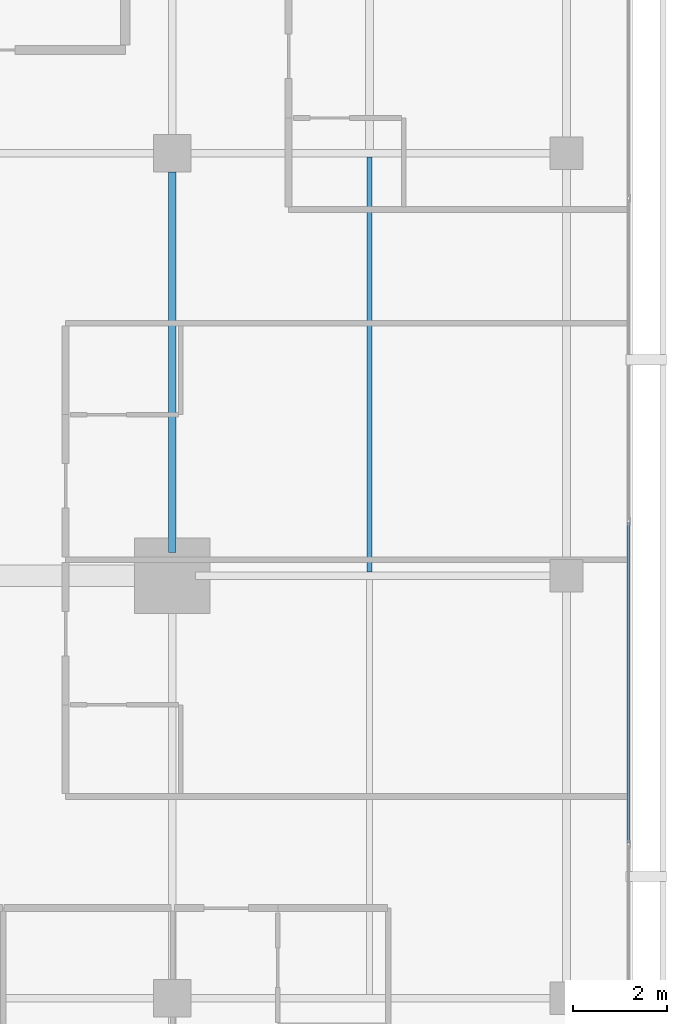
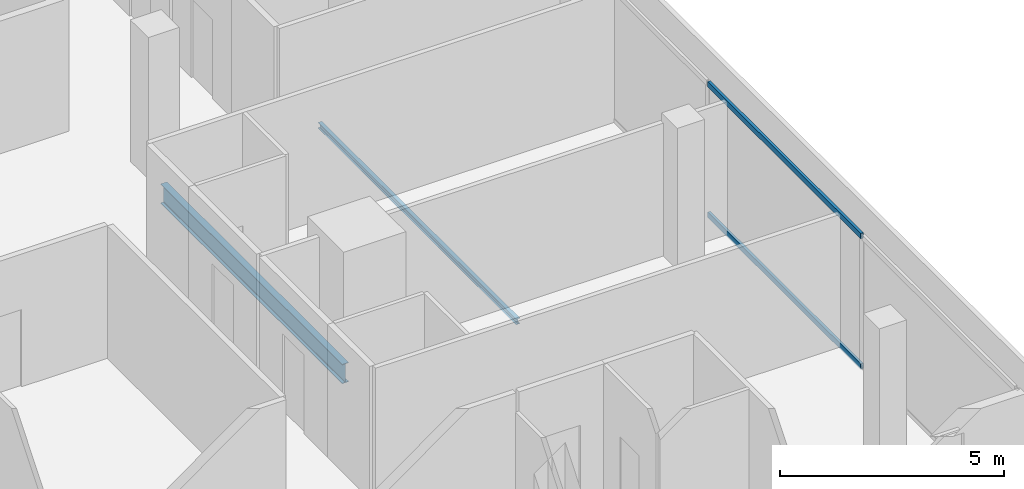
# One storey, part 13 of 26: 2 beams, 2 members, 1 element without a shape of its own.
"""IFC4 building model written with IfcOpenShell, lengths in metres."""

from ifc_helpers import new_model, si_unit, direction, frame, origin, origin_2d, place, context, subcontext, project, spatial, hollow_rectangle, i_section, extrude, material, layer, layer_set, material_profile, profile_set, type_object, element, aggregate, save


model = new_model("IFC4")

# Units and contexts
model_context = context("Model", 3, precision=1e-05, world=origin(), true_north=direction((0.0, 1.0)))
body_context = subcontext(model_context, "Body", "Model", "MODEL_VIEW")
ifc_project = project(units=[si_unit("LENGTHUNIT", "METRE"), si_unit("AREAUNIT", "SQUARE_METRE"), si_unit("VOLUMEUNIT", "CUBIC_METRE"), si_unit("PLANEANGLEUNIT", "RADIAN"), si_unit("MASSUNIT", "GRAM", prefix="KILO")], contexts=[model_context])

# Site, building, storey
site_placement = place(None, origin())
site = spatial("IfcSite", under=ifc_project, at=site_placement, CompositionType="ELEMENT")
building_placement = place(site_placement, origin())
building = spatial("IfcBuilding", under=site, at=building_placement, Name="Maruvema Waterfront Hotel and Observation Tower", CompositionType="ELEMENT")
storey_placement = place(building_placement, frame((0.0, 0.0, 289.449951171875)))
storey = spatial("IfcBuildingStorey", under=building, at=storey_placement, Name="L71", CompositionType="ELEMENT", Elevation=289.449951171875)

# Curtain wall, members
ifc_material_1 = material(Name="Anodised bronze aluminium and solar-control low-E IGU", Category="aluminium")
ifc_layer = layer(ifc_material_1, 0.159912109375, Name="Zone 3 Champagne Inner Thermal Curtain Wall System CW-04")
ifc_layer_set = layer_set([ifc_layer], Name="Anodised bronze aluminium and solar-control low-E IGU")
curtain_wall_type = type_object("IfcCurtainWallType", Name="Zone 3 Champagne Inner Thermal Curtain Wall System CW-04", PredefinedType="USERDEFINED", material=ifc_layer_set)
curtain_wall_placement = place(storey_placement, origin())
curtain_wall = element("IfcCurtainWall", 1, at=curtain_wall_placement, inside=storey, type_object=curtain_wall_type, Name="L71 Curtain Wall CW-L71-E", ObjectType="UNITISED CURTAIN WALL", PredefinedType="USERDEFINED")
ifc_material_2 = material(Name="Anodised architectural bronze aluminium", Category="aluminium")
ifc_material_profile_1 = material_profile(ifc_material_2, hollow_rectangle(XDim=0.070068359375, YDim=0.14990234375, WallThickness=0.00390625, at=origin_2d()), Name="ALU-T70x150")
ifc_profile_set_1 = profile_set([ifc_material_profile_1], Name="Anodised architectural bronze aluminium")
member_type = type_object("IfcMemberType", Name="Curtain Wall Horizontal Transom ALU-T70x150", PredefinedType="USERDEFINED", material=ifc_profile_set_1)
member_1_placement = place(storey_placement, frame((60.1201171875, 21.31005859375, 0.030029296875), z_axis=(0.0, 1.0, 0.0), x_axis=(-1.0, 0.0, 0.0)))
member_1 = element("IfcMember", 2, at=member_1_placement, type_object=member_type, Name="CW-04 transom 2.1", ObjectType="TRANSOM", PredefinedType="USERDEFINED", context=body_context, shape_type="SweptSolid", body=[
    extrude(hollow_rectangle(XDim=0.070068359375, YDim=0.14990234375, WallThickness=0.00390625, at=origin_2d()), origin(), (0.0, 0.0, 1.0), 6.81982421875),
])
member_2_placement = place(storey_placement, frame((60.1201171875, 21.31005859375, 3.580078125), z_axis=(0.0, 1.0, 0.0), x_axis=(-1.0, 0.0, 0.0)))
member_2 = element("IfcMember", 3, at=member_2_placement, type_object=member_type, Name="CW-04 transom 2.2", ObjectType="TRANSOM", PredefinedType="USERDEFINED", context=body_context, shape_type="SweptSolid", body=[
    extrude(hollow_rectangle(XDim=0.070068359375, YDim=0.14990234375, WallThickness=0.00390625, at=origin_2d()), origin(), (0.0, 0.0, 1.0), 6.81982421875),
])
aggregate(curtain_wall, [member_1, member_2])

# Beams
ifc_material_3 = material(Name="Steel ASTM A572 Grade 50", Category="steel")
ifc_material_profile_2 = material_profile(ifc_material_3, i_section(OverallWidth=0.166015625, OverallDepth=0.529052734375, WebThickness=0.009765625, FlangeThickness=0.013671875, FilletRadius=0.014892578125, at=origin_2d()), Name="W530x74.0")
ifc_profile_set_2 = profile_set([ifc_material_profile_2], Name="Steel ASTM A572 Grade 50")
beam_type_1 = type_object("IfcBeamType", Name="Primary Floor Girder W530x74.0", PredefinedType="BEAM", material=ifc_profile_set_2)
beam_1_placement = place(storey_placement, frame((50.39990234375, 27.5, -0.50439453125), z_axis=(0.0, 1.0, 0.0), x_axis=(-1.0, 0.0, 0.0)))
element("IfcBeam", 4, at=beam_1_placement, inside=storey, type_object=beam_type_1, Name="L71 Floor Girder NS-14", PredefinedType="BEAM", context=body_context, shape_type="SweptSolid", body=[
    extrude(i_section(OverallWidth=0.166015625, OverallDepth=0.529052734375, WebThickness=0.009765625, FlangeThickness=0.013671875, FilletRadius=0.014892578125, at=origin_2d()), origin(), (0.0, 0.0, 1.0), 8.10009765625),
])
ifc_material_4 = material(Name="Steel ASTM A572 Grade 50", Category="steel")
ifc_material_profile_3 = material_profile(ifc_material_4, i_section(OverallWidth=0.10009765625, OverallDepth=0.153076171875, WebThickness=0.005859375, FlangeThickness=0.007080078125, FilletRadius=0.008056640625, at=origin_2d()), Name="W150x18.0")
ifc_profile_set_3 = profile_set([ifc_material_profile_3], Name="Steel ASTM A572 Grade 50")
beam_type_2 = type_object("IfcBeamType", Name="Secondary Floor Joist W150x18.0", PredefinedType="JOIST", material=ifc_profile_set_3)
beam_2_placement = place(storey_placement, frame((54.60009765625, 27.0830078125, -0.31640625), z_axis=(0.0, 1.0, 0.0), x_axis=(-1.0, 0.0, 0.0)))
element("IfcBeam", 5, at=beam_2_placement, inside=storey, type_object=beam_type_2, Name="L71 Secondary Floor Joist JS-08", PredefinedType="JOIST", context=body_context, shape_type="SweptSolid", body=[
    extrude(i_section(OverallWidth=0.10009765625, OverallDepth=0.153076171875, WebThickness=0.005859375, FlangeThickness=0.007080078125, FilletRadius=0.008056640625, at=origin_2d()), origin(), (0.0, 0.0, 1.0), 8.833984375),
])

save(model, "model.ifc")
